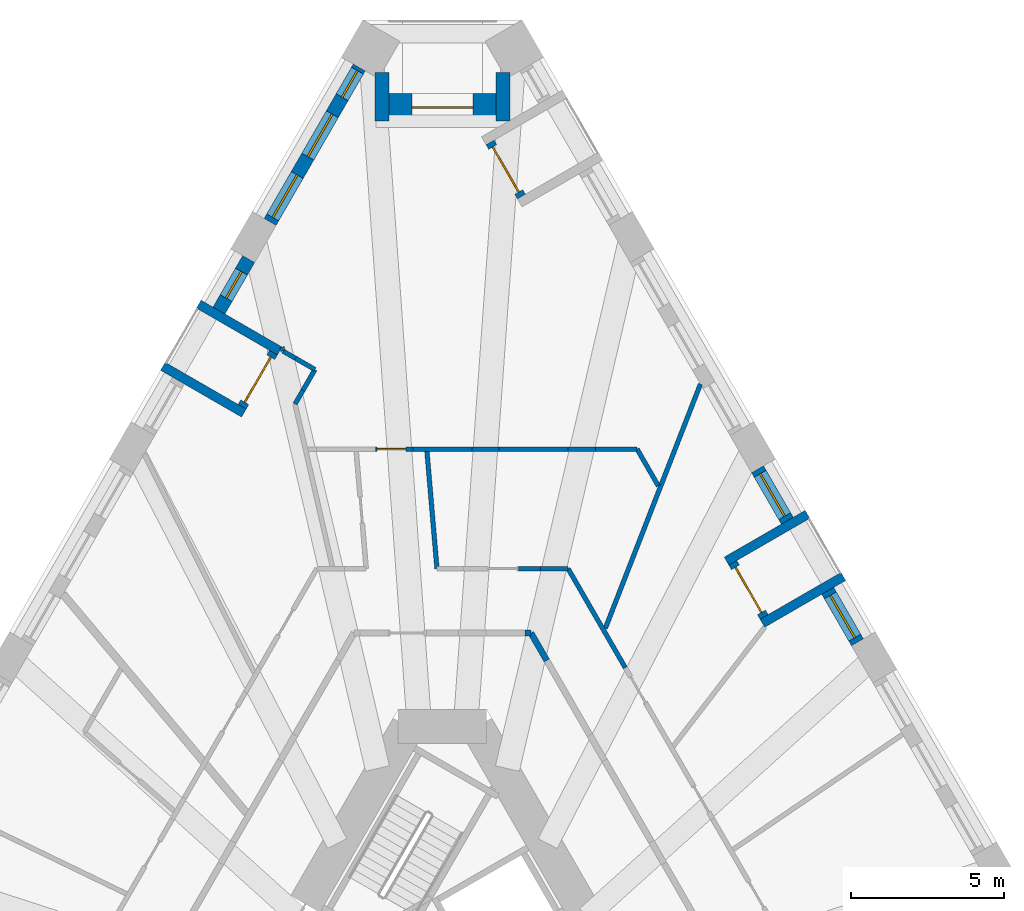
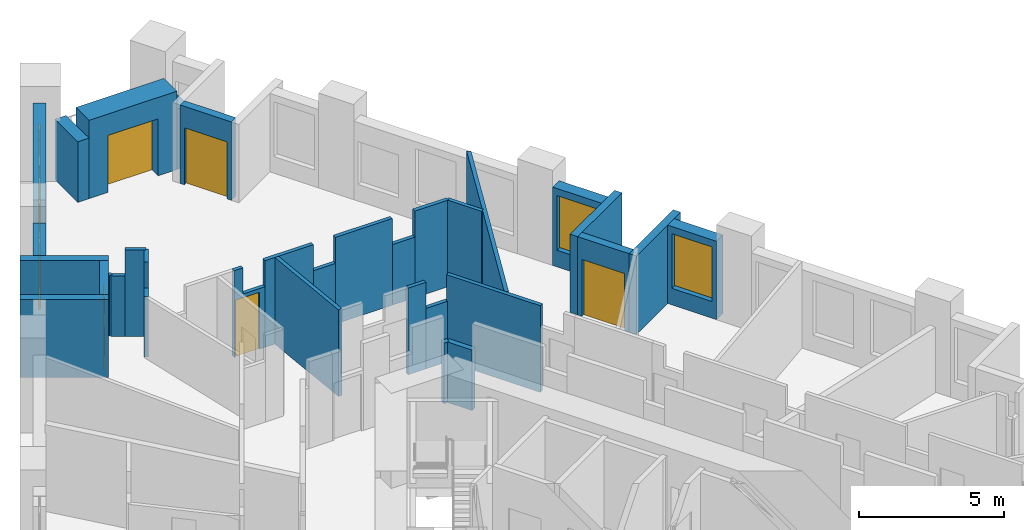
# One storey, part 9 of 14: 33 walls, 6 windows, 5 doors, 11 openings.
"""IFC4 building model written with IfcOpenShell, lengths in metres."""

from ifc_helpers import new_model, si_unit, direction, frame, frame_2d, origin, place, context, subcontext, project, spatial, polyline, rectangle, outline, extrude, material, layer, layer_set, type_object, element, fill, save


model = new_model("IFC4")

# Units and contexts
model_context = context("Model", 3, precision=1e-05, world=origin(), true_north=direction((0.0, 1.0)))
body_context = subcontext(model_context, "Body", "Model", "MODEL_VIEW")
ifc_project = project(units=[si_unit("LENGTHUNIT", "METRE"), si_unit("AREAUNIT", "SQUARE_METRE"), si_unit("VOLUMEUNIT", "CUBIC_METRE"), si_unit("PLANEANGLEUNIT", "RADIAN"), si_unit("MASSUNIT", "GRAM", prefix="KILO")], contexts=[model_context])

# Site, building, storey
site_placement = place(None, origin())
site = spatial("IfcSite", under=ifc_project, at=site_placement, CompositionType="ELEMENT")
building_placement = place(site_placement, origin())
building = spatial("IfcBuilding", under=site, at=building_placement, Name="Tramontana Tower", CompositionType="ELEMENT")
storey_placement = place(building_placement, frame((0.0, 0.0, 38.0)))
storey = spatial("IfcBuildingStorey", under=building, at=storey_placement, Name="L07", CompositionType="ELEMENT", Elevation=38.0)

# Walls
ifc_material_1 = material(Name="Blockwork", Category="masonry")
ifc_layer_1 = layer(ifc_material_1, 0.199951171875)
ifc_layer_set_1 = layer_set([ifc_layer_1], Name="ENTRY WALL 200")
wall_type_1 = type_object("IfcWallType", Name="ENTRY WALL 200", PredefinedType="SOLIDWALL", material=ifc_layer_set_1)
wall_1_placement = place(storey_placement, frame((2.88671875, 13.5, 0.0), z_axis=(0.0, 0.0, 1.0), x_axis=(0.499994660107, -0.866028486751, 0.0)))
element("IfcWall", 1, at=wall_1_placement, inside=storey, type_object=wall_type_1, Name="Wall v02-ew0-0", PredefinedType="SOLIDWALL", context=body_context, shape_type="SweptSolid", body=[
    extrude(rectangle(XDim=1.03515625, YDim=0.199951171875, at=frame_2d((0.517578125, 0.0))), origin(), (0.0, 0.0, 1.0), 2.550048828125),
])
wall_2_placement = place(storey_placement, frame((2.689453125, 13.5, 0.0), z_axis=(0.0, 0.0, 1.0), x_axis=(1.0, 0.0, 0.0)))
element("IfcWall", 2, at=wall_2_placement, inside=storey, type_object=wall_type_1, Name="Wall v02-ew5-6", PredefinedType="SOLIDWALL", context=body_context, shape_type="SweptSolid", body=[
    extrude(rectangle(XDim=0.197265625, YDim=0.199951171875, at=frame_2d((0.0986328125, 0.0))), origin(), (0.0, 0.0, 1.0), 2.550048828125),
])

# Wall, openings, windows
ifc_material_2 = material(Name="Precast concrete 60 MPa", Category="concrete")
ifc_layer_2 = layer(ifc_material_2, 0.449951171875)
ifc_layer_set_2 = layer_set([ifc_layer_2], Name="Precast concrete 60 MPa, 450 mm")
wall_type_2 = type_object("IfcWallType", Name="EW1 Stone-faced precast wall 450", PredefinedType="SOLIDWALL", material=ifc_layer_set_2)
wall_3_placement = place(storey_placement, frame((-2.713623046875, 31.949951171875, 0.0), z_axis=(0.0, 0.0, 1.0), x_axis=(-0.500007002644, -0.866021360769, 0.0)))
wall_3 = element("IfcWall", 3, at=wall_3_placement, inside=storey, type_object=wall_type_2, Name="External wall L07 face 0 bay 1", PredefinedType="SOLIDWALL", context=body_context, shape_type="SweptSolid", body=[
    extrude(rectangle(XDim=5.81787109375, YDim=0.449951171875, at=frame_2d((2.908935546875, 0.0))), origin(), (0.0, 0.0, 1.0), 3.300048828125),
])
opening_1_placement = place(wall_3_placement, frame((0.11962890625, 0.0, 0.699951171875)))
opening_1 = element("IfcOpeningElement", 4, at=opening_1_placement, cuts=wall_3, Name="Opening N1L", PredefinedType="OPENING", context=body_context, shape_type="SweptSolid", body=[
    extrude(rectangle(XDim=1.0, YDim=1.800048828125, at=frame_2d((0.5, 0.89990234375))), frame((0.0, 0.23486328125, 0.0), z_axis=(0.0, -1.0, 0.0), x_axis=(1.0, 0.0, 0.0)), (0.0, 0.0, 1.0), 0.469970703125),
])
opening_2_placement = place(wall_3_placement, frame((1.759033203125, 0.0, 0.699951171875)))
opening_2 = element("IfcOpeningElement", 5, at=opening_2_placement, cuts=wall_3, Name="Opening M1", PredefinedType="OPENING", context=body_context, shape_type="SweptSolid", body=[
    extrude(rectangle(XDim=1.60009765625, YDim=2.300048828125, at=frame_2d((0.800048828125, 1.14990234375))), frame((0.0, 0.23486328125, 0.0), z_axis=(0.0, -1.0, 0.0), x_axis=(1.0, 0.0, 0.0)), (0.0, 0.0, 1.0), 0.469970703125),
])
opening_3_placement = place(wall_3_placement, frame((4.04833984375, 0.0, 0.699951171875)))
opening_3 = element("IfcOpeningElement", 6, at=opening_3_placement, cuts=wall_3, Name="Opening M1", PredefinedType="OPENING", context=body_context, shape_type="SweptSolid", body=[
    extrude(rectangle(XDim=1.60009765625, YDim=2.300048828125, at=frame_2d((0.800048828125, 1.14990234375))), frame((0.0, 0.23486328125, 0.0), z_axis=(0.0, -1.0, 0.0), x_axis=(1.0, 0.0, 0.0)), (0.0, 0.0, 1.0), 0.469970703125),
])
ifc_material_3 = material(Name="Aluminum frame, double glazing unit", Category="aluminium")
window_type_1 = type_object("IfcWindowType", Name="M1 Window 1.6 x 2.3", PartitioningType="SINGLE_PANEL", PredefinedType="WINDOW", material=ifc_material_3)
window_1_placement = place(opening_2_placement, origin())
window_1 = element("IfcWindow", 7, at=window_1_placement, inside=storey, type_object=window_type_1, Name="Window M1 L07 face 0 module 2", OverallHeight=2.300048828125, OverallWidth=1.60009765625, PartitioningType="SINGLE_PANEL", PredefinedType="WINDOW", context=body_context, shape_type="SweptSolid", body=[
    extrude(rectangle(XDim=1.60009765625, YDim=2.300048828125, at=frame_2d((0.800048828125, 1.14990234375))), frame((0.0, 0.030029296875, 0.0), z_axis=(0.0, -1.0, 0.0), x_axis=(1.0, 0.0, 0.0)), (0.0, 0.0, 1.0), 0.06005859375),
])
fill(opening_2, window_1)
window_2_placement = place(opening_3_placement, origin())
window_2 = element("IfcWindow", 8, at=window_2_placement, inside=storey, type_object=window_type_1, Name="Window M1 L07 face 0 module 3", OverallHeight=2.300048828125, OverallWidth=1.60009765625, PartitioningType="SINGLE_PANEL", PredefinedType="WINDOW", context=body_context, shape_type="SweptSolid", body=[
    extrude(rectangle(XDim=1.60009765625, YDim=2.300048828125, at=frame_2d((0.800048828125, 1.14990234375))), frame((0.0, 0.030029296875, 0.0), z_axis=(0.0, -1.0, 0.0), x_axis=(1.0, 0.0, 0.0)), (0.0, 0.0, 1.0), 0.06005859375),
])
fill(opening_3, window_2)
ifc_material_4 = material(Name="Aluminum frame, double glazing unit", Category="aluminium")
window_type_2 = type_object("IfcWindowType", Name="N1L Window 1 x 1.8", PartitioningType="SINGLE_PANEL", PredefinedType="WINDOW", material=ifc_material_4)
window_3_placement = place(opening_1_placement, origin())
window_3 = element("IfcWindow", 9, at=window_3_placement, inside=storey, type_object=window_type_2, Name="Window N1L L07 face 0 module 1", OverallHeight=1.800048828125, OverallWidth=1.0, PartitioningType="SINGLE_PANEL", PredefinedType="WINDOW", context=body_context, shape_type="SweptSolid", body=[
    extrude(rectangle(XDim=1.0, YDim=1.800048828125, at=frame_2d((0.5, 0.89990234375))), frame((0.0, 0.030029296875, 0.0), z_axis=(0.0, -1.0, 0.0), x_axis=(1.0, 0.0, 0.0)), (0.0, 0.0, 1.0), 0.06005859375),
])
fill(opening_1, window_3)

# Wall, opening, window
wall_4_placement = place(storey_placement, frame((-6.322509765625, 25.69921875, 0.0), z_axis=(0.0, 0.0, 1.0), x_axis=(-0.49998396455, -0.866034661658, 0.0)))
wall_4 = element("IfcWall", 10, at=wall_4_placement, inside=storey, type_object=wall_type_2, Name="External wall L07 face 0 bay 2", PredefinedType="SOLIDWALL", context=body_context, shape_type="SweptSolid", body=[
    extrude(rectangle(XDim=1.939453125, YDim=0.449951171875, at=frame_2d((0.9697265625, 0.0))), origin(), (0.0, 0.0, 1.0), 3.300048828125),
])
opening_4_placement = place(wall_4_placement, frame((0.4697265625, 0.0, 0.699951171875)))
opening_4 = element("IfcOpeningElement", 11, at=opening_4_placement, cuts=wall_4, Name="Opening N1", PredefinedType="OPENING", context=body_context, shape_type="SweptSolid", body=[
    extrude(rectangle(XDim=1.0, YDim=2.300048828125, at=frame_2d((0.5, 1.14990234375))), frame((0.0, 0.23486328125, 0.0), z_axis=(0.0, -1.0, 0.0), x_axis=(1.0, 0.0, 0.0)), (0.0, 0.0, 1.0), 0.469970703125),
])
ifc_material_5 = material(Name="Aluminum frame, double glazing unit", Category="aluminium")
window_type_3 = type_object("IfcWindowType", Name="N1 Window 1 x 2.3", PartitioningType="SINGLE_PANEL", PredefinedType="WINDOW", material=ifc_material_5)
window_4_placement = place(opening_4_placement, origin())
window_4 = element("IfcWindow", 12, at=window_4_placement, inside=storey, type_object=window_type_3, Name="Window N1 L07 face 0 module 4", OverallHeight=2.300048828125, OverallWidth=1.0, PartitioningType="SINGLE_PANEL", PredefinedType="WINDOW", context=body_context, shape_type="SweptSolid", body=[
    extrude(rectangle(XDim=1.0, YDim=2.300048828125, at=frame_2d((0.5, 1.14990234375))), frame((0.0, 0.030029296875, 0.0), z_axis=(0.0, -1.0, 0.0), x_axis=(1.0, 0.0, 0.0)), (0.0, 0.0, 1.0), 0.06005859375),
])
fill(opening_4, window_4)

wall_5_placement = place(storey_placement, frame((13.54052734375, 13.197265625, 0.0), z_axis=(0.0, 0.0, 1.0), x_axis=(-0.500038474733, 0.866003189247, 0.0)))
wall_5 = element("IfcWall", 13, at=wall_5_placement, inside=storey, type_object=wall_type_2, Name="External wall L07 face 2 bay 5", PredefinedType="SOLIDWALL", context=body_context, shape_type="SweptSolid", body=[
    extrude(rectangle(XDim=1.939208984375, YDim=0.449951171875, at=frame_2d((0.9697265625, 0.0))), origin(), (0.0, 0.0, 1.0), 3.300048828125),
])
opening_5_placement = place(wall_5_placement, frame((0.169677734375, 0.0, 0.699951171875)))
opening_5 = element("IfcOpeningElement", 14, at=opening_5_placement, cuts=wall_5, Name="Opening M1", PredefinedType="OPENING", context=body_context, shape_type="SweptSolid", body=[
    extrude(rectangle(XDim=1.60009765625, YDim=2.300048828125, at=frame_2d((0.800048828125, 1.14990234375))), frame((0.0, 0.23486328125, 0.0), z_axis=(0.0, -1.0, 0.0), x_axis=(1.0, 0.0, 0.0)), (0.0, 0.0, 1.0), 0.469970703125),
])
window_5_placement = place(opening_5_placement, origin())
window_5 = element("IfcWindow", 15, at=window_5_placement, inside=storey, type_object=window_type_1, Name="Window M1 L07 face 2 module 13", OverallHeight=2.300048828125, OverallWidth=1.60009765625, PartitioningType="SINGLE_PANEL", PredefinedType="WINDOW", context=body_context, shape_type="SweptSolid", body=[
    extrude(rectangle(XDim=1.60009765625, YDim=2.300048828125, at=frame_2d((0.800048828125, 1.14990234375))), frame((0.0, 0.030029296875, 0.0), z_axis=(0.0, -1.0, 0.0), x_axis=(1.0, 0.0, 0.0)), (0.0, 0.0, 1.0), 0.06005859375),
])
fill(opening_5, window_5)

wall_6_placement = place(storey_placement, frame((11.251220703125, 17.16259765625, 0.0), z_axis=(0.0, 0.0, 1.0), x_axis=(-0.500038474733, 0.866003189247, 0.0)))
wall_6 = element("IfcWall", 16, at=wall_6_placement, inside=storey, type_object=wall_type_2, Name="External wall L07 face 2 bay 5", PredefinedType="SOLIDWALL", context=body_context, shape_type="SweptSolid", body=[
    extrude(rectangle(XDim=1.939208984375, YDim=0.449951171875, at=frame_2d((0.9697265625, 0.0))), origin(), (0.0, 0.0, 1.0), 3.300048828125),
])
opening_6_placement = place(wall_6_placement, frame((0.169677734375, 0.0, 0.699951171875)))
opening_6 = element("IfcOpeningElement", 17, at=opening_6_placement, cuts=wall_6, Name="Opening M1", PredefinedType="OPENING", context=body_context, shape_type="SweptSolid", body=[
    extrude(rectangle(XDim=1.60009765625, YDim=2.300048828125, at=frame_2d((0.800048828125, 1.14990234375))), frame((0.0, 0.23486328125, 0.0), z_axis=(0.0, -1.0, 0.0), x_axis=(1.0, 0.0, 0.0)), (0.0, 0.0, 1.0), 0.469970703125),
])
window_6_placement = place(opening_6_placement, origin())
window_6 = element("IfcWindow", 18, at=window_6_placement, inside=storey, type_object=window_type_1, Name="Window M1 L07 face 2 module 15", OverallHeight=2.300048828125, OverallWidth=1.60009765625, PartitioningType="SINGLE_PANEL", PredefinedType="WINDOW", context=body_context, shape_type="SweptSolid", body=[
    extrude(rectangle(XDim=1.60009765625, YDim=2.300048828125, at=frame_2d((0.800048828125, 1.14990234375))), frame((0.0, 0.030029296875, 0.0), z_axis=(0.0, -1.0, 0.0), x_axis=(1.0, 0.0, 0.0)), (0.0, 0.0, 1.0), 0.06005859375),
])
fill(opening_6, window_6)

# Walls
for number, where, z_axis, x_axis, name in (
    (19, (-1.97509765625, 31.779296875, 0.0), (0.0, 0.0, 1.0), (0.0, -1.0, 0.0), "Corner loggia side wall L07 K00l"),
    (20, (1.97509765625, 31.779296875, 0.0), (0.0, 0.0, 1.0), (0.0, -1.0, 0.0), "Corner loggia side wall L07 K00r"),
):
    element("IfcWall", number, at=place(storey_placement, frame(where, z_axis=z_axis, x_axis=x_axis)), inside=storey, type_object=wall_type_2, Name=name, PredefinedType="SOLIDWALL", context=body_context, shape_type="SweptSolid", body=[
        extrude(rectangle(XDim=1.579345703125, YDim=0.449951171875, at=frame_2d((0.78955078125, 0.0))), origin(), (0.0, 0.0, 1.0), 2.550048828125),
    ])

# Wall, opening, door
ifc_material_6 = material(Name="Precast concrete 60 MPa", Category="concrete")
ifc_layer_3 = layer(ifc_material_6, 0.89990234375)
ifc_layer_set_3 = layer_set([ifc_layer_3], Name="EW2 Stone-faced corner loggia wall 900")
wall_type_3 = type_object("IfcWallType", Name="EW2 Stone-faced corner loggia wall 900", PredefinedType="SOLIDWALL", material=ifc_layer_set_3)
wall_7_placement = place(storey_placement, frame((-1.75, 30.64990234375, 0.0), z_axis=(0.0, 0.0, 1.0), x_axis=(1.0, 0.0, 0.0)))
wall_7 = element("IfcWall", 21, at=wall_7_placement, inside=storey, type_object=wall_type_3, Name="Corner loggia wall L07 K00", PredefinedType="SOLIDWALL", context=body_context, shape_type="SweptSolid", body=[
    extrude(rectangle(XDim=3.5, YDim=0.89990234375, at=frame_2d((1.75, 0.0))), origin(), (0.0, 0.0, 1.0), 3.300048828125),
])
opening_7_placement = place(wall_7_placement, frame((0.75, 0.0, 0.0)))
opening_7 = element("IfcOpeningElement", 22, at=opening_7_placement, cuts=wall_7, Name="Opening BD-00C", PredefinedType="OPENING", context=body_context, shape_type="SweptSolid", body=[
    extrude(rectangle(XDim=2.0, YDim=2.39990234375, at=frame_2d((1.0, 1.199951171875))), frame((0.0, 0.4599609375, 0.0), z_axis=(0.0, -1.0, 0.0), x_axis=(1.0, 0.0, 0.0)), (0.0, 0.0, 1.0), 0.919921875),
])
ifc_material_7 = material(Name="Aluminum frame, double glazing unit", Category="aluminium")
door_type_1 = type_object("IfcDoorType", Name="BC1 Sliding door 2 x 2.4", OperationType="SLIDING_TO_LEFT", PredefinedType="DOOR", material=ifc_material_7)
door_1_placement = place(opening_7_placement, origin())
door_1 = element("IfcDoor", 23, at=door_1_placement, inside=storey, type_object=door_type_1, Name="Corner loggia door L07 K00", OperationType="SLIDING_TO_LEFT", OverallHeight=2.39990234375, OverallWidth=2.0, PredefinedType="DOOR", context=body_context, shape_type="SweptSolid", body=[
    extrude(rectangle(XDim=2.0, YDim=2.39990234375, at=frame_2d((1.0, 1.199951171875))), frame((0.0, 0.02490234375, 0.0), z_axis=(0.0, -1.0, 0.0), x_axis=(1.0, 0.0, 0.0)), (0.0, 0.0, 1.0), 0.050048828125),
])
fill(opening_7, door_1)

ifc_material_8 = material(Name="Precast concrete 60 MPa", Category="concrete")
ifc_layer_4 = layer(ifc_material_8, 0.300048828125)
ifc_layer_set_4 = layer_set([ifc_layer_4], Name="LW1 Stone-faced loggia wall 300")
wall_type_4 = type_object("IfcWallType", Name="LW1 Stone-faced loggia wall 300", PredefinedType="SOLIDWALL", material=ifc_layer_set_4)
wall_8_placement = place(storey_placement, frame((-5.51513671875, 22.647216796875, 0.0), z_axis=(0.0, 0.0, 1.0), x_axis=(-0.500092081068, -0.865972234227, 0.0)))
wall_8 = element("IfcWall", 24, at=wall_8_placement, inside=storey, type_object=wall_type_4, Name="Loggia wall L07 G0S0.4", PredefinedType="SOLIDWALL", context=body_context, shape_type="SweptSolid", body=[
    extrude(rectangle(XDim=2.0390625, YDim=0.300048828125, at=frame_2d((1.01953125, 0.0))), origin(), (0.0, 0.0, 1.0), 3.300048828125),
])
opening_8_placement = place(wall_8_placement, frame((0.169677734375, 0.0, 0.0)))
opening_8 = element("IfcOpeningElement", 25, at=opening_8_placement, cuts=wall_8, Name="Opening BD-0S0-04", PredefinedType="OPENING", context=body_context, shape_type="SweptSolid", body=[
    extrude(rectangle(XDim=1.699951171875, YDim=2.39990234375, at=frame_2d((0.85009765625, 1.199951171875))), frame((0.0, 0.159912109375, 0.0), z_axis=(0.0, -1.0, 0.0), x_axis=(1.0, 0.0, 0.0)), (0.0, 0.0, 1.0), 0.320068359375),
])
ifc_material_9 = material(Name="Aluminum frame, double glazing unit", Category="aluminium")
door_type_2 = type_object("IfcDoorType", Name="BD1 Sliding door 1.7 x 2.4", OperationType="SLIDING_TO_LEFT", PredefinedType="DOOR", material=ifc_material_9)
door_2_placement = place(opening_8_placement, origin())
door_2 = element("IfcDoor", 26, at=door_2_placement, inside=storey, type_object=door_type_2, Name="Loggia door L07 G0S0.4", OperationType="SLIDING_TO_LEFT", OverallHeight=2.39990234375, OverallWidth=1.699951171875, PredefinedType="DOOR", context=body_context, shape_type="SweptSolid", body=[
    extrude(rectangle(XDim=1.699951171875, YDim=2.39990234375, at=frame_2d((0.85009765625, 1.199951171875))), frame((0.0, 0.02490234375, 0.0), z_axis=(0.0, -1.0, 0.0), x_axis=(1.0, 0.0, 0.0)), (0.0, 0.0, 1.0), 0.050048828125),
])
fill(opening_8, door_2)

# Walls
for number, where, z_axis, x_axis, name in (
    (27, (-7.95166015625, 24.227294921875, 0.0), (0.0, 0.0, 1.0), (0.8660029625, -0.500038867431, 0.0), "Loggia return L07 G0S0.4a"),
    (28, (-9.121337890625, 22.201416015625, 0.0), (0.0, 0.0, 1.0), (0.8660029625, -0.500038867431, 0.0), "Loggia return L07 G0S0.4b"),
):
    element("IfcWall", number, at=place(storey_placement, frame(where, z_axis=z_axis, x_axis=x_axis)), inside=storey, type_object=wall_type_4, Name=name, PredefinedType="SOLIDWALL", context=body_context, shape_type="SweptSolid", body=[
        extrude(rectangle(XDim=3.050048828125, YDim=0.300048828125, at=frame_2d((1.52490234375, 0.0))), origin(), (0.0, 0.0, 1.0), 3.300048828125),
    ])

# Wall, opening, door
wall_9_placement = place(storey_placement, frame((10.493896484375, 14.024169921875, 0.0), z_axis=(0.0, 0.0, 1.0), x_axis=(-0.500040236659, 0.866002171892, 0.0)))
wall_9 = element("IfcWall", 29, at=wall_9_placement, inside=storey, type_object=wall_type_4, Name="Loggia wall L07 G0S2.13", PredefinedType="SOLIDWALL", context=body_context, shape_type="SweptSolid", body=[
    extrude(rectangle(XDim=2.039306640625, YDim=0.300048828125, at=frame_2d((1.01953125, 0.0))), origin(), (0.0, 0.0, 1.0), 3.300048828125),
])
opening_9_placement = place(wall_9_placement, frame((0.169677734375, 0.0, 0.0)))
opening_9 = element("IfcOpeningElement", 30, at=opening_9_placement, cuts=wall_9, Name="Opening BD-0S2-13", PredefinedType="OPENING", context=body_context, shape_type="SweptSolid", body=[
    extrude(rectangle(XDim=1.699951171875, YDim=2.39990234375, at=frame_2d((0.85009765625, 1.199951171875))), frame((0.0, 0.159912109375, 0.0), z_axis=(0.0, -1.0, 0.0), x_axis=(1.0, 0.0, 0.0)), (0.0, 0.0, 1.0), 0.320068359375),
])
door_3_placement = place(opening_9_placement, origin())
door_3 = element("IfcDoor", 31, at=door_3_placement, inside=storey, type_object=door_type_2, Name="Loggia door L07 G0S2.13", OperationType="SLIDING_TO_LEFT", OverallHeight=2.39990234375, OverallWidth=1.699951171875, PredefinedType="DOOR", context=body_context, shape_type="SweptSolid", body=[
    extrude(rectangle(XDim=1.699951171875, YDim=2.39990234375, at=frame_2d((0.85009765625, 1.199951171875))), frame((0.0, 0.02490234375, 0.0), z_axis=(0.0, -1.0, 0.0), x_axis=(1.0, 0.0, 0.0)), (0.0, 0.0, 1.0), 0.050048828125),
])
fill(opening_9, door_3)

# Walls
for number, where, z_axis, x_axis, name in (
    (32, (13.080322265625, 15.34423828125, 0.0), (0.0, 0.0, 1.0), (-0.8660029625, -0.500038867431, 0.0), "Loggia return L07 G0S2.13a"),
    (33, (11.91064453125, 17.3701171875, 0.0), (0.0, 0.0, 1.0), (-0.866037623948, -0.499978833458, 0.0), "Loggia return L07 G0S2.13b"),
):
    element("IfcWall", number, at=place(storey_placement, frame(where, z_axis=z_axis, x_axis=x_axis)), inside=storey, type_object=wall_type_4, Name=name, PredefinedType="SOLIDWALL", context=body_context, shape_type="SweptSolid", body=[
        extrude(rectangle(XDim=3.050048828125, YDim=0.300048828125, at=frame_2d((1.52490234375, 0.0))), origin(), (0.0, 0.0, 1.0), 3.300048828125),
    ])

# Wall, opening, door
wall_10_placement = place(storey_placement, frame((2.575927734375, 27.73828125, 0.0), z_axis=(0.0, 0.0, 1.0), x_axis=(-0.500040236659, 0.866002171892, 0.0)))
wall_10 = element("IfcWall", 34, at=wall_10_placement, inside=storey, type_object=wall_type_4, Name="Loggia wall L07 G0S2.19", PredefinedType="SOLIDWALL", context=body_context, shape_type="SweptSolid", body=[
    extrude(rectangle(XDim=2.039306640625, YDim=0.300048828125, at=frame_2d((1.01953125, 0.0))), origin(), (0.0, 0.0, 1.0), 3.300048828125),
])
opening_10_placement = place(wall_10_placement, frame((0.169677734375, 0.0, 0.0)))
opening_10 = element("IfcOpeningElement", 35, at=opening_10_placement, cuts=wall_10, Name="Opening BD-0S2-19", PredefinedType="OPENING", context=body_context, shape_type="SweptSolid", body=[
    extrude(rectangle(XDim=1.699951171875, YDim=2.39990234375, at=frame_2d((0.85009765625, 1.199951171875))), frame((0.0, 0.159912109375, 0.0), z_axis=(0.0, -1.0, 0.0), x_axis=(1.0, 0.0, 0.0)), (0.0, 0.0, 1.0), 0.320068359375),
])
door_4_placement = place(opening_10_placement, origin())
door_4 = element("IfcDoor", 36, at=door_4_placement, inside=storey, type_object=door_type_2, Name="Loggia door L07 G0S2.19", OperationType="SLIDING_TO_LEFT", OverallHeight=2.39990234375, OverallWidth=1.699951171875, PredefinedType="DOOR", context=body_context, shape_type="SweptSolid", body=[
    extrude(rectangle(XDim=1.699951171875, YDim=2.39990234375, at=frame_2d((0.85009765625, 1.199951171875))), frame((0.0, 0.02490234375, 0.0), z_axis=(0.0, -1.0, 0.0), x_axis=(1.0, 0.0, 0.0)), (0.0, 0.0, 1.0), 0.050048828125),
])
fill(opening_10, door_4)

# Walls
ifc_material_10 = material(Name="Gypsum board partition")
ifc_layer_5 = layer(ifc_material_10, 0.14990234375)
ifc_layer_set_5 = layer_set([ifc_layer_5], Name="PARTITION 150")
wall_type_5 = type_object("IfcWallType", Name="PARTITION 150", PredefinedType="PARTITIONING", material=ifc_layer_set_5)
wall_11_placement = place(storey_placement, frame((-5.204833984375, 22.699462890625, 0.0), z_axis=(0.0, 0.0, 1.0), x_axis=(-0.224199209128, 0.974543336454, 0.0)))
element("IfcWall", 37, at=wall_11_placement, inside=storey, type_object=wall_type_5, Name="Wall v02-pw19-0", PredefinedType="PARTITIONING", context=body_context, shape_type="SweptSolid", body=[
    extrude(rectangle(XDim=0.135009765625, YDim=0.14990234375, at=frame_2d((0.0673828125, 0.0))), origin(), (0.0, 0.0, 1.0), 2.550048828125),
])
wall_12_placement = place(storey_placement, frame((-4.80859375, 20.970947265625, 0.0), z_axis=(0.0, 0.0, 1.0), x_axis=(0.500009360108, 0.866019999656, 0.0)))
element("IfcWall", 38, at=wall_12_placement, inside=storey, type_object=wall_type_5, Name="Wall v02-pw20-0", PredefinedType="PARTITIONING", context=body_context, shape_type="SweptSolid", body=[
    extrude(rectangle(XDim=0.515625, YDim=0.14990234375, at=frame_2d((0.2578125, 0.0))), origin(), (0.0, 0.0, 1.0), 2.550048828125),
])
wall_13_placement = place(storey_placement, frame((-4.55078125, 21.41748046875, 0.0), z_axis=(0.0, 0.0, 1.0), x_axis=(0.50003806587, 0.866003425329, 0.0)))
element("IfcWall", 39, at=wall_13_placement, inside=storey, type_object=wall_type_5, Name="Wall v02-pw20-1", PredefinedType="PARTITIONING", context=body_context, shape_type="SweptSolid", body=[
    extrude(rectangle(XDim=0.78125, YDim=0.14990234375, at=frame_2d((0.390625, 0.0))), origin(), (0.0, 0.0, 1.0), 3.64990234375),
])

# Wall, opening, door
wall_14_placement = place(storey_placement, frame((-2.190673828125, 19.5, 0.0), z_axis=(0.0, 0.0, 1.0), x_axis=(1.0, 0.0, 0.0)))
wall_14 = element("IfcWall", 40, at=wall_14_placement, inside=storey, type_object=wall_type_5, Name="Wall v02-pw21-2", PredefinedType="PARTITIONING", context=body_context, shape_type="SweptSolid", body=[
    extrude(outline(polyline([(0.0, 0.0), (1.22607421875, 0.0), (1.22607421875, 2.550048828125), (0.3486328125, 2.550048828125), (0.3486328125, 3.64990234375), (0.0, 3.64990234375), (0.0, 0.0)])), frame((0.0, 0.074951171875, 0.0), z_axis=(0.0, -1.0, 0.0), x_axis=(1.0, 0.0, 0.0)), (0.0, 0.0, 1.0), 0.14990234375),
])
opening_11_placement = place(wall_14_placement, frame((0.050048828125, 0.0, 0.0)))
opening_11 = element("IfcOpeningElement", 41, at=opening_11_placement, cuts=wall_14, Name="Opening B0C-03", PredefinedType="OPENING", context=body_context, shape_type="SweptSolid", body=[
    extrude(rectangle(XDim=0.949951171875, YDim=2.39990234375, at=frame_2d((0.47509765625, 1.199951171875))), frame((0.0, 0.0849609375, 0.0), z_axis=(0.0, -1.0, 0.0), x_axis=(1.0, 0.0, 0.0)), (0.0, 0.0, 1.0), 0.169921875),
])
ifc_material_11 = material(Name="Painted timber", Category="wood")
door_type_3 = type_object("IfcDoorType", Name="DOOR ROOM 950", OperationType="SINGLE_SWING_LEFT", PredefinedType="DOOR", material=ifc_material_11)
door_5_placement = place(opening_11_placement, origin())
door_5 = element("IfcDoor", 42, at=door_5_placement, inside=storey, type_object=door_type_3, Name="Door B0C-03", OperationType="SINGLE_SWING_LEFT", OverallHeight=2.39990234375, OverallWidth=0.949951171875, PredefinedType="DOOR", context=body_context, shape_type="SweptSolid", body=[
    extrude(rectangle(XDim=0.949951171875, YDim=2.39990234375, at=frame_2d((0.47509765625, 1.199951171875))), frame((0.0, 0.02490234375, 0.0), z_axis=(0.0, -1.0, 0.0), x_axis=(1.0, 0.0, 0.0)), (0.0, 0.0, 1.0), 0.050048828125),
])
fill(opening_11, door_5)

# Walls
wall_15_placement = place(storey_placement, frame((-0.964599609375, 19.5, 0.0), z_axis=(0.0, 0.0, 1.0), x_axis=(1.0, 0.0, 0.0)))
element("IfcWall", 43, at=wall_15_placement, inside=storey, type_object=wall_type_5, Name="Wall v02-pw21-3", PredefinedType="PARTITIONING", context=body_context, shape_type="SweptSolid", body=[
    extrude(rectangle(XDim=1.92919921875, YDim=0.14990234375, at=frame_2d((0.964599609375, 0.0))), origin(), (0.0, 0.0, 1.0), 3.64990234375),
])
wall_16_placement = place(storey_placement, frame((0.964599609375, 19.5, 0.0), z_axis=(0.0, 0.0, 1.0), x_axis=(1.0, 0.0, 0.0)))
element("IfcWall", 44, at=wall_16_placement, inside=storey, type_object=wall_type_5, Name="Wall v02-pw21-4", PredefinedType="PARTITIONING", context=body_context, shape_type="SweptSolid", body=[
    extrude(rectangle(XDim=0.877197265625, YDim=0.14990234375, at=frame_2d((0.4384765625, 0.0))), origin(), (0.0, 0.0, 1.0), 2.550048828125),
])
wall_17_placement = place(storey_placement, frame((1.841796875, 19.5, 0.0), z_axis=(0.0, 0.0, 1.0), x_axis=(1.0, 0.0, 0.0)))
element("IfcWall", 45, at=wall_17_placement, inside=storey, type_object=wall_type_5, Name="Wall v02-pw21-5", PredefinedType="PARTITIONING", context=body_context, shape_type="SweptSolid", body=[
    extrude(rectangle(XDim=2.26123046875, YDim=0.14990234375, at=frame_2d((1.130615234375, 0.0))), origin(), (0.0, 0.0, 1.0), 3.64990234375),
])
wall_18_placement = place(storey_placement, frame((4.10302734375, 19.5, 0.0), z_axis=(0.0, 0.0, 1.0), x_axis=(1.0, 0.0, 0.0)))
element("IfcWall", 46, at=wall_18_placement, inside=storey, type_object=wall_type_5, Name="Wall v02-pw21-6", PredefinedType="PARTITIONING", context=body_context, shape_type="SweptSolid", body=[
    extrude(rectangle(XDim=0.898681640625, YDim=0.14990234375, at=frame_2d((0.44921875, 0.0))), origin(), (0.0, 0.0, 1.0), 2.550048828125),
])
wall_19_placement = place(storey_placement, frame((5.001708984375, 19.5, 0.0), z_axis=(0.0, 0.0, 1.0), x_axis=(1.0, 0.0, 0.0)))
element("IfcWall", 47, at=wall_19_placement, inside=storey, type_object=wall_type_5, Name="Wall v02-pw21-7", PredefinedType="PARTITIONING", context=body_context, shape_type="SweptSolid", body=[
    extrude(rectangle(XDim=1.34912109375, YDim=0.14990234375, at=frame_2d((0.674560546875, 0.0))), origin(), (0.0, 0.0, 1.0), 3.64990234375),
])
wall_20_placement = place(storey_placement, frame((-4.160888671875, 22.0966796875, 0.0), z_axis=(0.0, 0.0, 1.0), x_axis=(-0.866141146063, 0.499799474886, 0.0)))
element("IfcWall", 48, at=wall_20_placement, inside=storey, type_object=wall_type_5, Name="Wall v02-pw22-0", PredefinedType="PARTITIONING", context=body_context, shape_type="SweptSolid", body=[
    extrude(rectangle(XDim=0.731689453125, YDim=0.14990234375, at=frame_2d((0.36572265625, 0.0))), origin(), (0.0, 0.0, 1.0), 3.64990234375),
])
wall_21_placement = place(storey_placement, frame((-4.794677734375, 22.46240234375, 0.0), z_axis=(0.0, 0.0, 1.0), x_axis=(-0.866013897511, 0.50001992892, 0.0)))
element("IfcWall", 49, at=wall_21_placement, inside=storey, type_object=wall_type_5, Name="Wall v02-pw22-1", PredefinedType="PARTITIONING", context=body_context, shape_type="SweptSolid", body=[
    extrude(rectangle(XDim=0.4736328125, YDim=0.14990234375, at=frame_2d((0.23681640625, 0.0))), origin(), (0.0, 0.0, 1.0), 2.550048828125),
])
wall_22_placement = place(storey_placement, frame((-0.505126953125, 19.425048828125, 0.0), z_axis=(0.0, 0.0, 1.0), x_axis=(0.085092687009, -0.996373039889, 0.0)))
element("IfcWall", 50, at=wall_22_placement, inside=storey, type_object=wall_type_5, Name="Wall v02-pw28", PredefinedType="PARTITIONING", context=body_context, shape_type="SweptSolid", body=[
    extrude(rectangle(XDim=3.8388671875, YDim=0.14990234375, at=frame_2d((1.91943359375, 0.0))), origin(), (0.0, 0.0, 1.0), 3.64990234375),
])
wall_23_placement = place(storey_placement, frame((2.4853515625, 15.60009765625, 0.0), z_axis=(0.0, 0.0, 1.0), x_axis=(1.0, 0.0, 0.0)))
element("IfcWall", 51, at=wall_23_placement, inside=storey, type_object=wall_type_5, Name="Wall v02-pw29-2", PredefinedType="PARTITIONING", context=body_context, shape_type="SweptSolid", body=[
    extrude(rectangle(XDim=0.707275390625, YDim=0.14990234375, at=frame_2d((0.353515625, 0.0))), origin(), (0.0, 0.0, 1.0), 3.64990234375),
])
wall_24_placement = place(storey_placement, frame((3.192626953125, 15.60009765625, 0.0), z_axis=(0.0, 0.0, 1.0), x_axis=(1.0, 0.0, 0.0)))
element("IfcWall", 52, at=wall_24_placement, inside=storey, type_object=wall_type_5, Name="Wall v02-pw29-3", PredefinedType="PARTITIONING", context=body_context, shape_type="SweptSolid", body=[
    extrude(rectangle(XDim=0.906494140625, YDim=0.14990234375, at=frame_2d((0.453125, 0.0))), origin(), (0.0, 0.0, 1.0), 2.550048828125),
])
wall_25_placement = place(storey_placement, frame((4.09912109375, 15.60009765625, 0.0), z_axis=(0.0, 0.0, 1.0), x_axis=(0.500007375767, -0.866021145342, 0.0)))
element("IfcWall", 53, at=wall_25_placement, inside=storey, type_object=wall_type_5, Name="Wall v02-pw31-0", PredefinedType="PARTITIONING", context=body_context, shape_type="SweptSolid", body=[
    extrude(rectangle(XDim=3.7333984375, YDim=0.14990234375, at=frame_2d((1.86669921875, 0.0))), origin(), (0.0, 0.0, 1.0), 3.64990234375),
])
wall_26_placement = place(storey_placement, frame((6.350830078125, 19.5, 0.0), z_axis=(0.0, 0.0, 1.0), x_axis=(0.499986884831, -0.866032975699, 0.0)))
element("IfcWall", 54, at=wall_26_placement, inside=storey, type_object=wall_type_5, Name="Wall v02-pw33", PredefinedType="PARTITIONING", context=body_context, shape_type="SweptSolid", body=[
    extrude(rectangle(XDim=1.38525390625, YDim=0.14990234375, at=frame_2d((0.692626953125, 0.0))), origin(), (0.0, 0.0, 1.0), 3.64990234375),
])
wall_27_placement = place(storey_placement, frame((8.4169921875, 21.621337890625, 0.0), z_axis=(0.0, 0.0, 1.0), x_axis=(-0.362765684538, -0.931880388313, 0.0)))
element("IfcWall", 55, at=wall_27_placement, inside=storey, type_object=wall_type_5, Name="Wall v02-pw35", PredefinedType="PARTITIONING", context=body_context, shape_type="SweptSolid", body=[
    extrude(rectangle(XDim=8.556396484375, YDim=0.14990234375, at=frame_2d((4.2783203125, 0.0))), origin(), (0.0, 0.0, 1.0), 3.64990234375),
])

save(model, "model.ifc")
